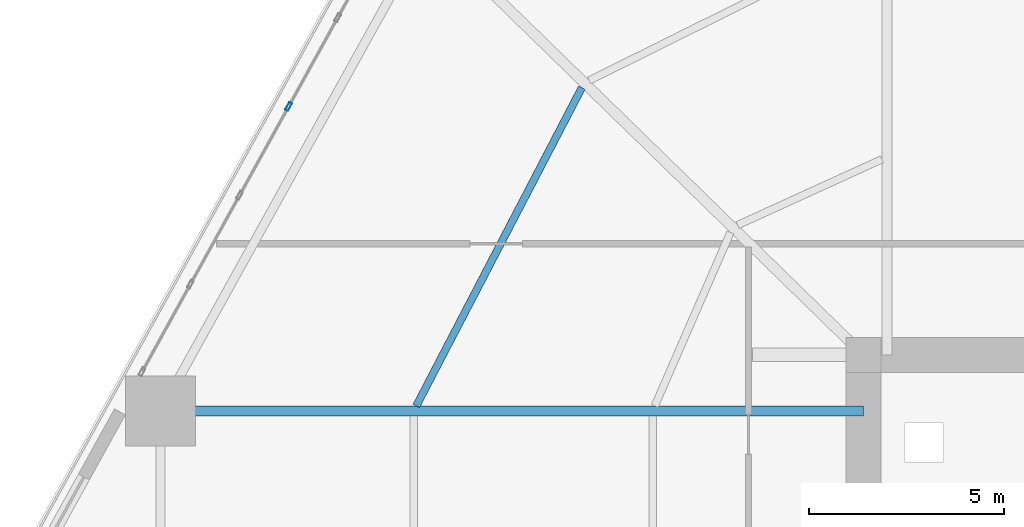
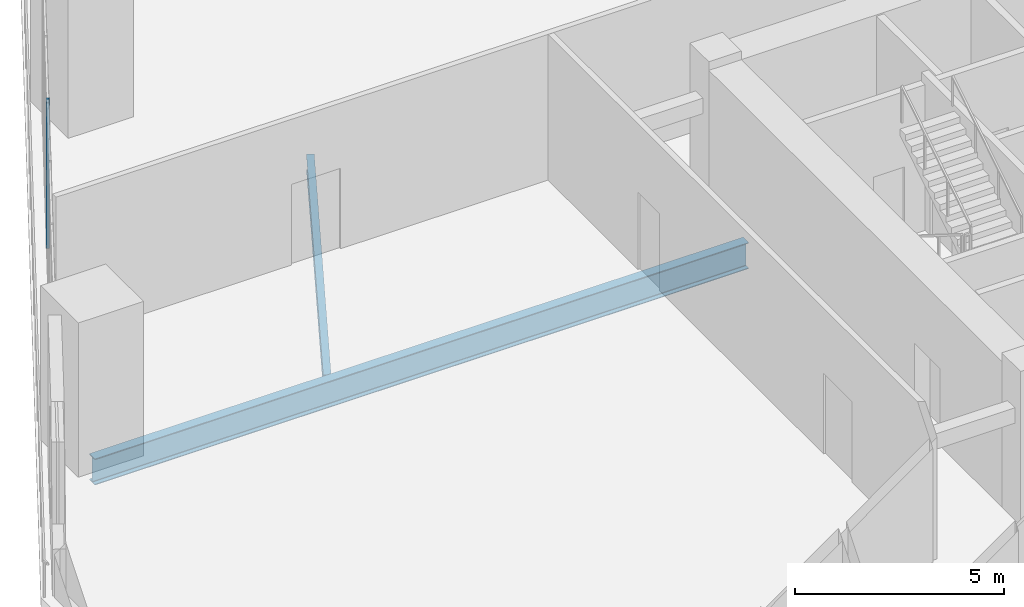
# One storey, part 6 of 18: 2 beams, 1 member, 1 element without a shape of its own.
"""IFC4 building model written with IfcOpenShell, lengths in metres."""

from ifc_helpers import new_model, si_unit, direction, frame, origin, origin_2d, place, context, subcontext, project, spatial, hollow_rectangle, i_section, extrude, material, layer, layer_set, material_profile, profile_set, type_object, element, aggregate, save


model = new_model("IFC4")

# Units and contexts
model_context = context("Model", 3, precision=1e-05, world=origin(), true_north=direction((0.0, 1.0)))
body_context = subcontext(model_context, "Body", "Model", "MODEL_VIEW")
ifc_project = project(units=[si_unit("LENGTHUNIT", "METRE"), si_unit("AREAUNIT", "SQUARE_METRE"), si_unit("VOLUMEUNIT", "CUBIC_METRE"), si_unit("PLANEANGLEUNIT", "RADIAN"), si_unit("MASSUNIT", "GRAM", prefix="KILO")], contexts=[model_context])

# Site, building, storey
site_placement = place(None, origin())
site = spatial("IfcSite", under=ifc_project, at=site_placement, CompositionType="ELEMENT")
building_placement = place(site_placement, origin())
building = spatial("IfcBuilding", under=site, at=building_placement, Name="Cinnabar Lancet Tower", CompositionType="ELEMENT")
storey_placement = place(building_placement, frame((0.0, 0.0, 10.5)))
storey = spatial("IfcBuildingStorey", under=building, at=storey_placement, Name="L02", CompositionType="ELEMENT", Elevation=10.5)

# Curtain wall, member
ifc_material_1 = material(Name="Thermally broken bronze-anodized aluminium and low-E glass", Category="aluminium")
ifc_layer = layer(ifc_material_1, 0.179931640625)
ifc_layer_set = layer_set([ifc_layer], Name="Thermally broken bronze-anodized aluminium and low-E glass")
curtain_wall_type = type_object("IfcCurtainWallType", Name="ENV-CW-SYS-02", PredefinedType="NOTDEFINED", material=ifc_layer_set)
curtain_wall_placement = place(storey_placement, origin())
curtain_wall = element("IfcCurtainWall", 1, at=curtain_wall_placement, inside=storey, type_object=curtain_wall_type, Name="L02 Face 5 Feature Curtain Wall", PredefinedType="NOTDEFINED")
ifc_material_2 = material(Name="Anodized architectural aluminium 6063-T6", Category="aluminium")
ifc_material_profile_1 = material_profile(ifc_material_2, hollow_rectangle(XDim=0.0849609375, YDim=0.219970703125, WallThickness=0.0048828125, InnerFilletRadius=0.00244140625, OuterFilletRadius=0.007568359375, at=origin_2d()), Name="CW-MUL 220x85x5")
ifc_profile_set_1 = profile_set([ifc_material_profile_1], Name="Anodized architectural aluminium 6063-T6")
member_type = type_object("IfcMemberType", Name="ENV-CW-MUL-220", PredefinedType="MULLION", material=ifc_profile_set_1)
member_placement = place(storey_placement, frame((8.196044921875, 39.7236328125, 0.0), z_axis=(0.0, 0.0, 1.0), x_axis=(0.875242391442, -0.48368456273, 0.0)))
member = element("IfcMember", 2, at=member_placement, type_object=member_type, Name="CW-02 mullion 3", PredefinedType="MULLION", context=body_context, shape_type="SweptSolid", body=[
    extrude(hollow_rectangle(XDim=0.0849609375, YDim=0.219970703125, WallThickness=0.0048828125, InnerFilletRadius=0.00244140625, OuterFilletRadius=0.007568359375, at=origin_2d()), origin(), (0.0, 0.0, 1.0), 4.25),
])
aggregate(curtain_wall, [member])

# Beams
ifc_material_3 = material(Name="Structural steel S355", Category="steel")
ifc_material_profile_2 = material_profile(ifc_material_3, i_section(OverallWidth=0.1904296875, OverallDepth=0.45703125, WebThickness=0.009033203125, FlangeThickness=0.014404296875, FilletRadius=0.01025390625, at=origin_2d()), Name="UKB 457x191x74")
ifc_profile_set_2 = profile_set([ifc_material_profile_2], Name="Structural steel S355")
beam_type_1 = type_object("IfcBeamType", Name="STR-BM-JST-457", PredefinedType="JOIST", material=ifc_profile_set_2)
beam_1_placement = place(storey_placement, frame((15.721923828125, 40.2060546875, -0.47900390625), z_axis=(-0.461626641841, -0.887074316809, 0.0), x_axis=(0.887074316809, -0.461626641841, 0.0)))
element("IfcBeam", 3, at=beam_1_placement, inside=storey, type_object=beam_type_1, Name="L02 Secondary Floor Joist 9", PredefinedType="JOIST", context=body_context, shape_type="SweptSolid", body=[
    extrude(i_section(OverallWidth=0.1904296875, OverallDepth=0.45703125, WebThickness=0.009033203125, FlangeThickness=0.014404296875, FilletRadius=0.01025390625, at=origin_2d()), origin(), (0.0, 0.0, 1.0), 9.204345703125),
])
ifc_material_4 = material(Name="Structural steel S355", Category="steel")
ifc_material_profile_3 = material_profile(ifc_material_4, i_section(OverallWidth=0.2666015625, OverallDepth=0.76220703125, WebThickness=0.014404296875, FlangeThickness=0.021484375, FilletRadius=0.0166015625, at=origin_2d()), Name="UKB 762x267x173")
ifc_profile_set_3 = profile_set([ifc_material_profile_3], Name="Structural steel S355")
beam_type_2 = type_object("IfcBeamType", Name="STR-BM-UKB762-173", PredefinedType="BEAM", material=ifc_profile_set_3)
beam_2_placement = place(storey_placement, frame((4.908935546875, 31.907958984375, -0.631103515625), z_axis=(1.0, 0.0, 0.0), x_axis=(0.0, 1.0, 0.0)))
element("IfcBeam", 4, at=beam_2_placement, inside=storey, type_object=beam_type_2, Name="L02 Primary Floor Girder 10", PredefinedType="BEAM", context=body_context, shape_type="SweptSolid", body=[
    extrude(i_section(OverallWidth=0.2666015625, OverallDepth=0.76220703125, WebThickness=0.014404296875, FlangeThickness=0.021484375, FilletRadius=0.0166015625, at=origin_2d()), origin(), (0.0, 0.0, 1.0), 18.041015625),
])

save(model, "model.ifc")
